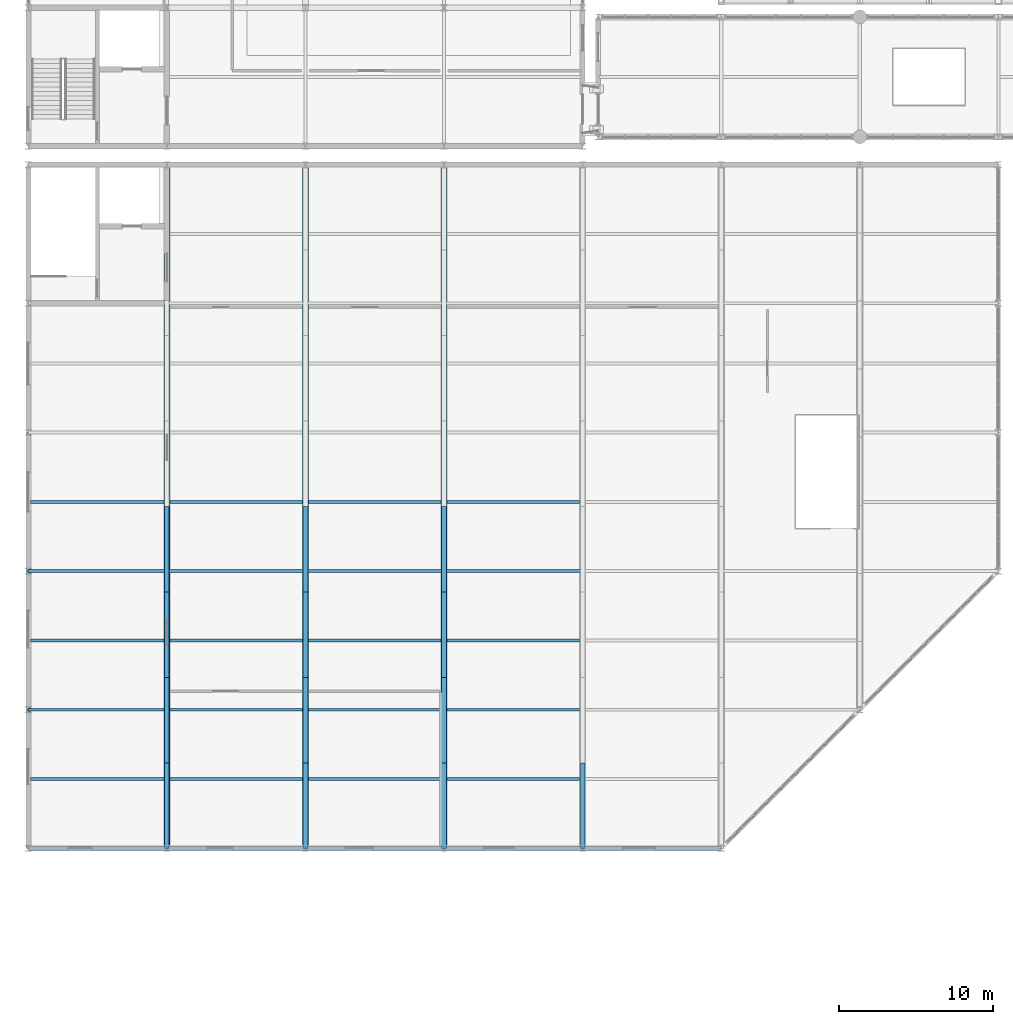
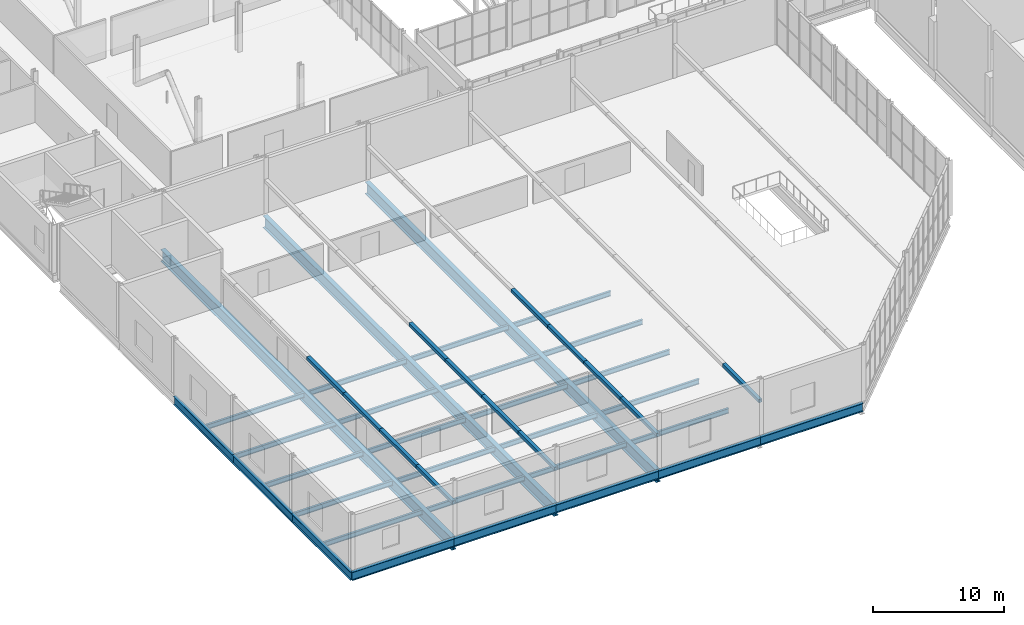
# One storey, part 23 of 134: 31 beams, 13 members.
"""IFC4 building model written with IfcOpenShell, lengths in metres."""

from ifc_helpers import new_model, si_unit, direction, frame, origin, origin_2d, place, context, subcontext, project, spatial, hollow_rectangle, i_section, extrude, material, material_profile, profile_set, type_object, element, save


model = new_model("IFC4")

# Units and contexts
model_context = context("Model", 3, precision=1e-05, world=origin(), true_north=direction((0.0, 1.0)))
body_context = subcontext(model_context, "Body", "Model", "MODEL_VIEW")
ifc_project = project(units=[si_unit("LENGTHUNIT", "METRE"), si_unit("AREAUNIT", "SQUARE_METRE"), si_unit("VOLUMEUNIT", "CUBIC_METRE"), si_unit("PLANEANGLEUNIT", "RADIAN"), si_unit("MASSUNIT", "GRAM", prefix="KILO")], contexts=[model_context])

# Site, building, storey
site_placement = place(None, origin())
site = spatial("IfcSite", under=ifc_project, at=site_placement, CompositionType="ELEMENT")
building_placement = place(site_placement, origin())
building = spatial("IfcBuilding", under=site, at=building_placement, Name="Cazmaro Siding Exhibition Halls", CompositionType="ELEMENT")
storey_placement = place(building_placement, frame((0.0, 0.0, 12.0)))
storey = spatial("IfcBuildingStorey", under=building, at=storey_placement, Name="L02", CompositionType="ELEMENT", Elevation=12.0)

# Beams
ifc_material_1 = material(Name="Steel ASTM A992 Grade 50", Category="steel")
ifc_material_profile_1 = material_profile(ifc_material_1, i_section(OverallWidth=0.26708984375, OverallDepth=0.779052734375, WebThickness=0.01708984375, FlangeThickness=0.02490234375, at=origin_2d()), Name="W30X148")
ifc_profile_set_1 = profile_set([ifc_material_profile_1], Name="Steel ASTM A992 Grade 50")
beam_type_1 = type_object("IfcBeamType", Name="B-05", PredefinedType="BEAM", material=ifc_profile_set_1)
for number, where, z_axis, x_axis, name in (
    (1, (0.0, 9.0, -0.638916015625), (1.0, 0.0, 0.0), (0.0, 1.0, 0.0), "Beam B-05 BM-1728"),
    (2, (9.0, 9.0, -0.638916015625), (1.0, 0.0, 0.0), (0.0, 1.0, 0.0), "Beam B-05 BM-1730"),
    (3, (18.0, 9.0, -0.638916015625), (1.0, 0.0, 0.0), (0.0, 1.0, 0.0), "Beam B-05 BM-1732"),
    (4, (27.0, 9.0, -0.638916015625), (1.0, 0.0, 0.0), (0.0, 1.0, 0.0), "Beam B-05 BM-1734"),
    (5, (36.0, 9.0, -0.638916015625), (1.0, 0.0, 0.0), (0.0, 1.0, 0.0), "Beam B-05 BM-1736"),
    (6, (0.0, 36.0, -0.638916015625), (0.0, -1.0, 0.0), (1.0, 0.0, 0.0), "Beam B-05 BM-1766"),
    (7, (0.0, 27.0, -0.638916015625), (0.0, -1.0, 0.0), (1.0, 0.0, 0.0), "Beam B-05 BM-1768"),
    (8, (0.0, 18.0, -0.638916015625), (0.0, -1.0, 0.0), (1.0, 0.0, 0.0), "Beam B-05 BM-1770"),
):
    element("IfcBeam", number, at=place(storey_placement, frame(where, z_axis=z_axis, x_axis=x_axis)), inside=storey, type_object=beam_type_1, Name=name, PredefinedType="BEAM", context=body_context, shape_type="SweptSolid", body=[
        extrude(i_section(OverallWidth=0.26708984375, OverallDepth=0.779052734375, WebThickness=0.01708984375, FlangeThickness=0.02490234375, at=origin_2d()), origin(), (0.0, 0.0, 1.0), 9.0),
    ])
ifc_material_2 = material(Name="Steel ASTM A992 Grade 50", Category="steel")
ifc_material_profile_2 = material_profile(ifc_material_2, i_section(OverallWidth=0.404052734375, OverallDepth=1.117919921875, WebThickness=0.02587890625, FlangeThickness=0.044921875, at=origin_2d()), Name="W44X335")
ifc_profile_set_2 = profile_set([ifc_material_profile_2], Name="Steel ASTM A992 Grade 50")
beam_type_2 = type_object("IfcBeamType", Name="G-07", PredefinedType="USERDEFINED", material=ifc_profile_set_2)
for number, where, z_axis, x_axis, name in (
    (9, (9.0, 9.0, -0.80908203125), (0.0, 1.0, 0.0), (-1.0, 0.0, 0.0), "Beam G-07 BM-1815"),
    (10, (18.0, 9.0, -0.80908203125), (0.0, 1.0, 0.0), (-1.0, 0.0, 0.0), "Beam G-07 BM-1816"),
    (11, (27.0, 9.0, -0.80908203125), (0.0, 1.0, 0.0), (-1.0, 0.0, 0.0), "Beam G-07 BM-1817"),
):
    element("IfcBeam", number, at=place(storey_placement, frame(where, z_axis=z_axis, x_axis=x_axis)), inside=storey, type_object=beam_type_2, Name=name, ObjectType="GIRDER", PredefinedType="USERDEFINED", context=body_context, shape_type="SweptSolid", body=[
        extrude(i_section(OverallWidth=0.404052734375, OverallDepth=1.117919921875, WebThickness=0.02587890625, FlangeThickness=0.044921875, at=origin_2d()), origin(), (0.0, 0.0, 1.0), 44.39990234375),
    ])
ifc_material_3 = material(Name="Steel ASTM A992 Grade 50", Category="steel")
ifc_material_profile_3 = material_profile(ifc_material_3, i_section(OverallWidth=0.19091796875, OverallDepth=0.45703125, WebThickness=0.009033203125, FlangeThickness=0.013916015625, at=origin_2d()), Name="W18X50")
ifc_profile_set_3 = profile_set([ifc_material_profile_3], Name="Steel ASTM A992 Grade 50")
beam_type_3 = type_object("IfcBeamType", Name="J-01", PredefinedType="JOIST", material=ifc_profile_set_3)
beam_1_placement = place(storey_placement, frame((0.134033203125, 13.5, -0.47900390625), z_axis=(1.0, 0.0, 0.0), x_axis=(0.0, 1.0, 0.0)))
element("IfcBeam", 12, at=beam_1_placement, inside=storey, type_object=beam_type_3, Name="Beam J-01 BM-1821", PredefinedType="JOIST", context=body_context, shape_type="SweptSolid", body=[
    extrude(i_section(OverallWidth=0.19091796875, OverallDepth=0.45703125, WebThickness=0.009033203125, FlangeThickness=0.013916015625, at=origin_2d()), origin(), (0.0, 0.0, 1.0), 8.6640625),
])
for number, where, z_axis, x_axis, name in (
    (13, (9.201904296875, 13.5, -0.47900390625), (1.0, 0.0, 0.0), (0.0, 1.0, 0.0), "Beam J-01 BM-1822"),
    (14, (18.201904296875, 13.5, -0.47900390625), (1.0, 0.0, 0.0), (0.0, 1.0, 0.0), "Beam J-01 BM-1823"),
    (15, (27.201904296875, 13.5, -0.47900390625), (1.0, 0.0, 0.0), (0.0, 1.0, 0.0), "Beam J-01 BM-1824"),
):
    element("IfcBeam", number, at=place(storey_placement, frame(where, z_axis=z_axis, x_axis=x_axis)), inside=storey, type_object=beam_type_3, Name=name, PredefinedType="JOIST", context=body_context, shape_type="SweptSolid", body=[
        extrude(i_section(OverallWidth=0.19091796875, OverallDepth=0.45703125, WebThickness=0.009033203125, FlangeThickness=0.013916015625, at=origin_2d()), origin(), (0.0, 0.0, 1.0), 8.59619140625),
    ])
beam_2_placement = place(storey_placement, frame((0.0, 18.0, -0.47900390625), z_axis=(1.0, 0.0, 0.0), x_axis=(0.0, 1.0, 0.0)))
element("IfcBeam", 16, at=beam_2_placement, inside=storey, type_object=beam_type_3, Name="Beam J-01 BM-1826", PredefinedType="JOIST", context=body_context, shape_type="SweptSolid", body=[
    extrude(i_section(OverallWidth=0.19091796875, OverallDepth=0.45703125, WebThickness=0.009033203125, FlangeThickness=0.013916015625, at=origin_2d()), origin(), (0.0, 0.0, 1.0), 8.798095703125),
])
for number, where, z_axis, x_axis, name in (
    (17, (9.201904296875, 18.0, -0.47900390625), (1.0, 0.0, 0.0), (0.0, 1.0, 0.0), "Beam J-01 BM-1827"),
    (18, (18.201904296875, 18.0, -0.47900390625), (1.0, 0.0, 0.0), (0.0, 1.0, 0.0), "Beam J-01 BM-1828"),
    (19, (27.201904296875, 18.0, -0.47900390625), (1.0, 0.0, 0.0), (0.0, 1.0, 0.0), "Beam J-01 BM-1829"),
):
    element("IfcBeam", number, at=place(storey_placement, frame(where, z_axis=z_axis, x_axis=x_axis)), inside=storey, type_object=beam_type_3, Name=name, PredefinedType="JOIST", context=body_context, shape_type="SweptSolid", body=[
        extrude(i_section(OverallWidth=0.19091796875, OverallDepth=0.45703125, WebThickness=0.009033203125, FlangeThickness=0.013916015625, at=origin_2d()), origin(), (0.0, 0.0, 1.0), 8.59619140625),
    ])
beam_3_placement = place(storey_placement, frame((0.134033203125, 22.5, -0.47900390625), z_axis=(1.0, 0.0, 0.0), x_axis=(0.0, 1.0, 0.0)))
element("IfcBeam", 20, at=beam_3_placement, inside=storey, type_object=beam_type_3, Name="Beam J-01 BM-1832", PredefinedType="JOIST", context=body_context, shape_type="SweptSolid", body=[
    extrude(i_section(OverallWidth=0.19091796875, OverallDepth=0.45703125, WebThickness=0.009033203125, FlangeThickness=0.013916015625, at=origin_2d()), origin(), (0.0, 0.0, 1.0), 8.6640625),
])
for number, where, z_axis, x_axis, name in (
    (21, (9.201904296875, 22.5, -0.47900390625), (1.0, 0.0, 0.0), (0.0, 1.0, 0.0), "Beam J-01 BM-1833"),
    (22, (18.201904296875, 22.5, -0.47900390625), (1.0, 0.0, 0.0), (0.0, 1.0, 0.0), "Beam J-01 BM-1834"),
    (23, (27.201904296875, 22.5, -0.47900390625), (1.0, 0.0, 0.0), (0.0, 1.0, 0.0), "Beam J-01 BM-1835"),
):
    element("IfcBeam", number, at=place(storey_placement, frame(where, z_axis=z_axis, x_axis=x_axis)), inside=storey, type_object=beam_type_3, Name=name, PredefinedType="JOIST", context=body_context, shape_type="SweptSolid", body=[
        extrude(i_section(OverallWidth=0.19091796875, OverallDepth=0.45703125, WebThickness=0.009033203125, FlangeThickness=0.013916015625, at=origin_2d()), origin(), (0.0, 0.0, 1.0), 8.59619140625),
    ])
for number, where, z_axis, x_axis, name in (
    (24, (0.0, 27.0, -0.47900390625), (1.0, 0.0, 0.0), (0.0, 1.0, 0.0), "Beam J-01 BM-1838"),
    (25, (9.0, 27.0, -0.47900390625), (1.0, 0.0, 0.0), (0.0, 1.0, 0.0), "Beam J-01 BM-1839"),
    (26, (18.0, 27.0, -0.47900390625), (1.0, 0.0, 0.0), (0.0, 1.0, 0.0), "Beam J-01 BM-1840"),
    (27, (27.0, 27.0, -0.47900390625), (1.0, 0.0, 0.0), (0.0, 1.0, 0.0), "Beam J-01 BM-1841"),
):
    element("IfcBeam", number, at=place(storey_placement, frame(where, z_axis=z_axis, x_axis=x_axis)), inside=storey, type_object=beam_type_3, Name=name, PredefinedType="JOIST", context=body_context, shape_type="SweptSolid", body=[
        extrude(i_section(OverallWidth=0.19091796875, OverallDepth=0.45703125, WebThickness=0.009033203125, FlangeThickness=0.013916015625, at=origin_2d()), origin(), (0.0, 0.0, 1.0), 9.0),
    ])
beam_4_placement = place(storey_placement, frame((0.134033203125, 31.5, -0.47900390625), z_axis=(1.0, 0.0, 0.0), x_axis=(0.0, 1.0, 0.0)))
element("IfcBeam", 28, at=beam_4_placement, inside=storey, type_object=beam_type_3, Name="Beam J-01 BM-1845", PredefinedType="JOIST", context=body_context, shape_type="SweptSolid", body=[
    extrude(i_section(OverallWidth=0.19091796875, OverallDepth=0.45703125, WebThickness=0.009033203125, FlangeThickness=0.013916015625, at=origin_2d()), origin(), (0.0, 0.0, 1.0), 8.6640625),
])
for number, where, z_axis, x_axis, name in (
    (29, (9.201904296875, 31.5, -0.47900390625), (1.0, 0.0, 0.0), (0.0, 1.0, 0.0), "Beam J-01 BM-1846"),
    (30, (18.201904296875, 31.5, -0.47900390625), (1.0, 0.0, 0.0), (0.0, 1.0, 0.0), "Beam J-01 BM-1847"),
    (31, (27.201904296875, 31.5, -0.47900390625), (1.0, 0.0, 0.0), (0.0, 1.0, 0.0), "Beam J-01 BM-1848"),
):
    element("IfcBeam", number, at=place(storey_placement, frame(where, z_axis=z_axis, x_axis=x_axis)), inside=storey, type_object=beam_type_3, Name=name, PredefinedType="JOIST", context=body_context, shape_type="SweptSolid", body=[
        extrude(i_section(OverallWidth=0.19091796875, OverallDepth=0.45703125, WebThickness=0.009033203125, FlangeThickness=0.013916015625, at=origin_2d()), origin(), (0.0, 0.0, 1.0), 8.59619140625),
    ])

# Members
ifc_material_4 = material(Name="Steel ASTM A500 Grade C", Category="steel")
ifc_material_profile_4 = material_profile(ifc_material_4, hollow_rectangle(XDim=0.304931640625, YDim=0.304931640625, WallThickness=0.014892578125, at=origin_2d()), Name="HSS12X12X5/8")
ifc_profile_set_4 = profile_set([ifc_material_profile_4], Name="Steel ASTM A500 Grade C")
member_type = type_object("IfcMemberType", Name="TC-02", PredefinedType="CHORD", material=ifc_profile_set_4)
for number, where, z_axis, x_axis, name in (
    (32, (9.0, 9.0, 3.050048828125), (0.0, 1.0, 0.0), (-1.0, 0.0, 0.0), "Congress folded roof bottom chord TC-02 MEM-3245"),
    (33, (9.0, 14.550048828125, 3.050048828125), (0.0, 1.0, 0.0), (-1.0, 0.0, 0.0), "Congress folded roof bottom chord TC-02 MEM-3248"),
):
    element("IfcMember", number, at=place(storey_placement, frame(where, z_axis=z_axis, x_axis=x_axis)), inside=storey, type_object=member_type, Name=name, PredefinedType="CHORD", context=body_context, shape_type="SweptSolid", body=[
        extrude(hollow_rectangle(XDim=0.304931640625, YDim=0.304931640625, WallThickness=0.014892578125, at=origin_2d()), origin(), (0.0, 0.0, 1.0), 5.550048828125),
    ])
member_1_placement = place(storey_placement, frame((9.0, 20.10009765625, 3.050048828125), z_axis=(0.0, 1.0, 0.0), x_axis=(-1.0, 0.0, 0.0)))
element("IfcMember", 34, at=member_1_placement, inside=storey, type_object=member_type, Name="Congress folded roof bottom chord TC-02 MEM-3251", PredefinedType="CHORD", context=body_context, shape_type="SweptSolid", body=[
    extrude(hollow_rectangle(XDim=0.304931640625, YDim=0.304931640625, WallThickness=0.014892578125, at=origin_2d()), origin(), (0.0, 0.0, 1.0), 5.5498046875),
])
for number, where, z_axis, x_axis, name in (
    (35, (9.0, 25.64990234375, 3.050048828125), (0.0, 1.0, 0.0), (-1.0, 0.0, 0.0), "Congress folded roof bottom chord TC-02 MEM-3254"),
    (36, (18.0, 9.0, 3.050048828125), (0.0, 1.0, 0.0), (-1.0, 0.0, 0.0), "Congress folded roof bottom chord TC-02 MEM-3276"),
    (37, (18.0, 14.550048828125, 3.050048828125), (0.0, 1.0, 0.0), (-1.0, 0.0, 0.0), "Congress folded roof bottom chord TC-02 MEM-3279"),
):
    element("IfcMember", number, at=place(storey_placement, frame(where, z_axis=z_axis, x_axis=x_axis)), inside=storey, type_object=member_type, Name=name, PredefinedType="CHORD", context=body_context, shape_type="SweptSolid", body=[
        extrude(hollow_rectangle(XDim=0.304931640625, YDim=0.304931640625, WallThickness=0.014892578125, at=origin_2d()), origin(), (0.0, 0.0, 1.0), 5.550048828125),
    ])
member_2_placement = place(storey_placement, frame((18.0, 20.10009765625, 3.050048828125), z_axis=(0.0, 1.0, 0.0), x_axis=(-1.0, 0.0, 0.0)))
element("IfcMember", 38, at=member_2_placement, inside=storey, type_object=member_type, Name="Congress folded roof bottom chord TC-02 MEM-3282", PredefinedType="CHORD", context=body_context, shape_type="SweptSolid", body=[
    extrude(hollow_rectangle(XDim=0.304931640625, YDim=0.304931640625, WallThickness=0.014892578125, at=origin_2d()), origin(), (0.0, 0.0, 1.0), 5.5498046875),
])
for number, where, z_axis, x_axis, name in (
    (39, (18.0, 25.64990234375, 3.050048828125), (0.0, 1.0, 0.0), (-1.0, 0.0, 0.0), "Congress folded roof bottom chord TC-02 MEM-3285"),
    (40, (27.0, 9.0, 3.050048828125), (0.0, 1.0, 0.0), (-1.0, 0.0, 0.0), "Congress folded roof bottom chord TC-02 MEM-3307"),
    (41, (27.0, 14.550048828125, 3.050048828125), (0.0, 1.0, 0.0), (-1.0, 0.0, 0.0), "Congress folded roof bottom chord TC-02 MEM-3310"),
):
    element("IfcMember", number, at=place(storey_placement, frame(where, z_axis=z_axis, x_axis=x_axis)), inside=storey, type_object=member_type, Name=name, PredefinedType="CHORD", context=body_context, shape_type="SweptSolid", body=[
        extrude(hollow_rectangle(XDim=0.304931640625, YDim=0.304931640625, WallThickness=0.014892578125, at=origin_2d()), origin(), (0.0, 0.0, 1.0), 5.550048828125),
    ])
member_3_placement = place(storey_placement, frame((27.0, 20.10009765625, 3.050048828125), z_axis=(0.0, 1.0, 0.0), x_axis=(-1.0, 0.0, 0.0)))
element("IfcMember", 42, at=member_3_placement, inside=storey, type_object=member_type, Name="Congress folded roof bottom chord TC-02 MEM-3313", PredefinedType="CHORD", context=body_context, shape_type="SweptSolid", body=[
    extrude(hollow_rectangle(XDim=0.304931640625, YDim=0.304931640625, WallThickness=0.014892578125, at=origin_2d()), origin(), (0.0, 0.0, 1.0), 5.5498046875),
])
for number, where, z_axis, x_axis, name in (
    (43, (27.0, 25.64990234375, 3.050048828125), (0.0, 1.0, 0.0), (-1.0, 0.0, 0.0), "Congress folded roof bottom chord TC-02 MEM-3316"),
    (44, (36.0, 9.0, 3.050048828125), (0.0, 1.0, 0.0), (-1.0, 0.0, 0.0), "Congress folded roof bottom chord TC-02 MEM-3338"),
):
    element("IfcMember", number, at=place(storey_placement, frame(where, z_axis=z_axis, x_axis=x_axis)), inside=storey, type_object=member_type, Name=name, PredefinedType="CHORD", context=body_context, shape_type="SweptSolid", body=[
        extrude(hollow_rectangle(XDim=0.304931640625, YDim=0.304931640625, WallThickness=0.014892578125, at=origin_2d()), origin(), (0.0, 0.0, 1.0), 5.550048828125),
    ])

save(model, "model.ifc")
